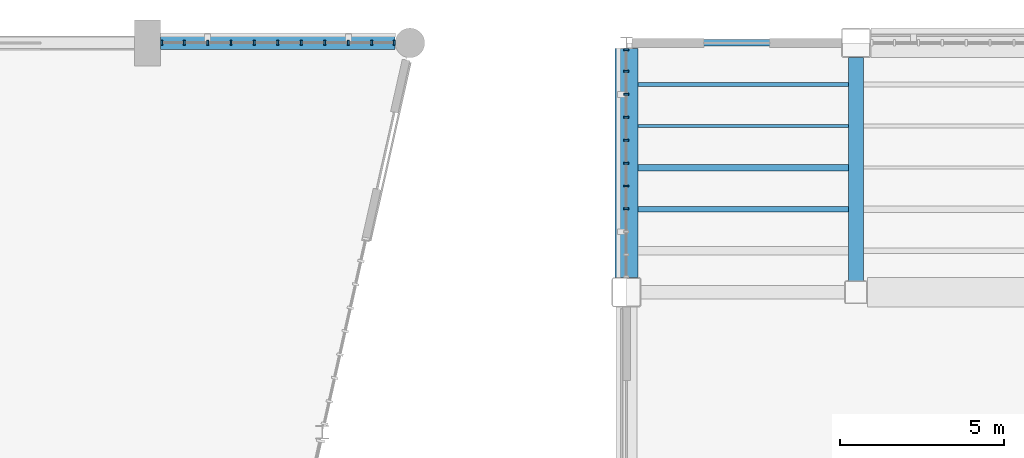
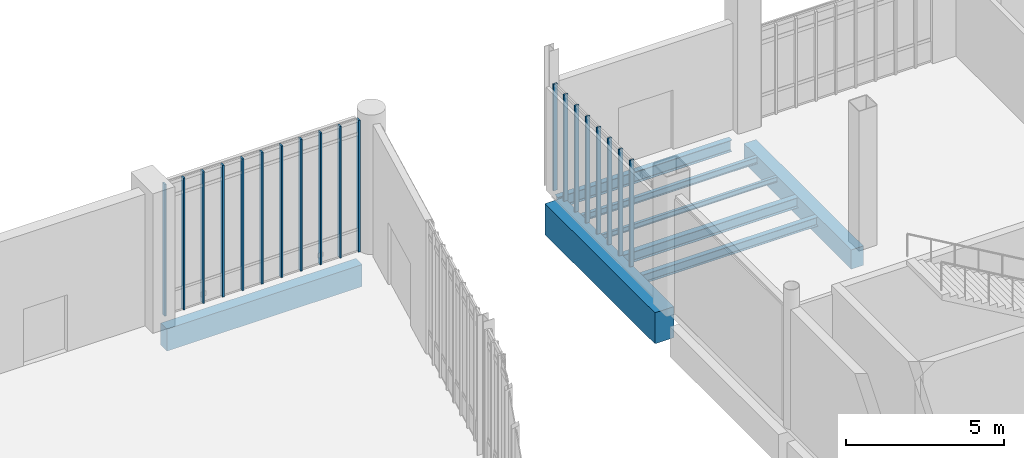
# One storey, part 31 of 111: 19 members, 8 beams, 2 elements without a shape of their own.
"""IFC4 building model written with IfcOpenShell, lengths in metres."""

from ifc_helpers import new_model, si_unit, direction, frame, origin, origin_2d, place, context, subcontext, project, spatial, rectangle, i_section, extrude, material, material_profile, profile_set, type_object, element, aggregate, save


model = new_model("IFC4")

# Units and contexts
model_context = context("Model", 3, precision=1e-05, world=origin(), true_north=direction((0.0, 1.0)))
body_context = subcontext(model_context, "Body", "Model", "MODEL_VIEW")
ifc_project = project(units=[si_unit("LENGTHUNIT", "METRE"), si_unit("AREAUNIT", "SQUARE_METRE"), si_unit("VOLUMEUNIT", "CUBIC_METRE"), si_unit("PLANEANGLEUNIT", "RADIAN"), si_unit("MASSUNIT", "GRAM", prefix="KILO")], contexts=[model_context])

# Site, building, storey
site_placement = place(None, origin())
site = spatial("IfcSite", under=ifc_project, at=site_placement, CompositionType="ELEMENT")
building_placement = place(site_placement, origin())
building = spatial("IfcBuilding", under=site, at=building_placement, Name="Larkvane Passage Sports Hall", CompositionType="ELEMENT")
storey_placement = place(building_placement, origin())
storey = spatial("IfcBuildingStorey", under=building, at=storey_placement, Name="L00", CompositionType="ELEMENT", Elevation=0.0)

# Beams
ifc_material_1 = material(Name="Concrete C40/50", Category="concrete")
ifc_material_profile_1 = material_profile(ifc_material_1, rectangle(XDim=0.449951171875, YDim=0.75, at=origin_2d()), Name="RC-BM-450x750")
ifc_profile_set_1 = profile_set([ifc_material_profile_1], Name="Concrete C40/50")
beam_type_1 = type_object("IfcBeamType", Name="BM-RC-450x750", PredefinedType="BEAM", material=ifc_profile_set_1)
beam_1_placement = place(storey_placement, frame((131.60009765625, 91.949951171875, -0.794921875), z_axis=(0.0, 1.0, 0.0), x_axis=(-1.0, 0.0, 0.0)))
element("IfcBeam", 1, at=beam_1_placement, inside=storey, type_object=beam_type_1, Name="Girder BM5-Y-L00-18-0135", PredefinedType="BEAM", context=body_context, shape_type="SweptSolid", body=[
    extrude(rectangle(XDim=0.449951171875, YDim=0.75, at=origin_2d()), origin(), (0.0, 0.0, 1.0), 6.800048828125),
])
ifc_material_2 = material(Name="Concrete C50/60", Category="concrete")
ifc_material_profile_2 = material_profile(ifc_material_2, rectangle(XDim=0.699951171875, YDim=1.199951171875, at=origin_2d()), Name="RC-BM-700x1200")
ifc_profile_set_2 = profile_set([ifc_material_profile_2], Name="Concrete C50/60")
beam_type_2 = type_object("IfcBeamType", Name="BM-RC-700x1200", PredefinedType="BEAM", material=ifc_profile_set_2)
beam_2_placement = place(storey_placement, frame((124.60009765625, 92.050048828125, -1.02001953125), z_axis=(0.0, 1.0, 0.0), x_axis=(-1.0, 0.0, 0.0)))
element("IfcBeam", 2, at=beam_2_placement, inside=storey, type_object=beam_type_2, Name="Girder BM5-Y-L00-17-0130", PredefinedType="BEAM", context=body_context, shape_type="SweptSolid", body=[
    extrude(rectangle(XDim=0.699951171875, YDim=1.199951171875, at=origin_2d()), origin(), (0.0, 0.0, 1.0), 6.974853515625),
])

# Curtain wall, members
ifc_material_3 = material(Name="Thermally broken aluminium and low-E glazing", Category="aluminium")
curtain_wall_type = type_object("IfcCurtainWallType", Name="CW-UNIT-COURT", PredefinedType="USERDEFINED", material=ifc_material_3)
curtain_wall_1_placement = place(storey_placement, origin())
curtain_wall_1 = element("IfcCurtainWall", 3, at=curtain_wall_1_placement, inside=storey, type_object=curtain_wall_type, Name="Curtain wall CW5-L00-012", ObjectType="UNITISED CURTAIN WALL", PredefinedType="USERDEFINED")
ifc_material_4 = material(Name="Anodised aluminium 6063-T6", Category="aluminium")
ifc_material_profile_3 = material_profile(ifc_material_4, rectangle(XDim=0.06005859375, YDim=0.14990234375, at=origin_2d()), Name="ALU-MUL-60x150")
ifc_profile_set_3 = profile_set([ifc_material_profile_3], Name="Anodised aluminium 6063-T6")
member_type = type_object("IfcMemberType", Name="CW-MUL-60x150", PredefinedType="MULLION", material=ifc_profile_set_3)
member_1_placement = place(storey_placement, frame((110.426025390625, 99.199951171875, 0.0), z_axis=(0.0, 0.0, 1.0), x_axis=(1.0, 0.0, 0.0)))
member_1 = element("IfcMember", 4, at=member_1_placement, type_object=member_type, Name="CW-01 mullion 1", PredefinedType="MULLION", context=body_context, shape_type="SweptSolid", body=[
    extrude(rectangle(XDim=0.06005859375, YDim=0.14990234375, at=origin_2d()), origin(), (0.0, 0.0, 1.0), 5.10009765625),
])
member_2_placement = place(storey_placement, frame((111.11181640625, 99.199951171875, 0.0), z_axis=(0.0, 0.0, 1.0), x_axis=(1.0, 0.0, 0.0)))
member_2 = element("IfcMember", 5, at=member_2_placement, type_object=member_type, Name="CW-01 mullion 2", PredefinedType="MULLION", context=body_context, shape_type="SweptSolid", body=[
    extrude(rectangle(XDim=0.06005859375, YDim=0.14990234375, at=origin_2d()), origin(), (0.0, 0.0, 1.0), 5.10009765625),
])
member_3_placement = place(storey_placement, frame((111.82763671875, 99.199951171875, 0.0), z_axis=(0.0, 0.0, 1.0), x_axis=(1.0, 0.0, 0.0)))
member_3 = element("IfcMember", 6, at=member_3_placement, type_object=member_type, Name="CW-01 mullion 3", PredefinedType="MULLION", context=body_context, shape_type="SweptSolid", body=[
    extrude(rectangle(XDim=0.06005859375, YDim=0.14990234375, at=origin_2d()), origin(), (0.0, 0.0, 1.0), 5.10009765625),
])
member_4_placement = place(storey_placement, frame((112.54345703125, 99.199951171875, 0.0), z_axis=(0.0, 0.0, 1.0), x_axis=(1.0, 0.0, 0.0)))
member_4 = element("IfcMember", 7, at=member_4_placement, type_object=member_type, Name="CW-01 mullion 4", PredefinedType="MULLION", context=body_context, shape_type="SweptSolid", body=[
    extrude(rectangle(XDim=0.06005859375, YDim=0.14990234375, at=origin_2d()), origin(), (0.0, 0.0, 1.0), 5.10009765625),
])
member_5_placement = place(storey_placement, frame((113.25927734375, 99.199951171875, 0.0), z_axis=(0.0, 0.0, 1.0), x_axis=(1.0, 0.0, 0.0)))
member_5 = element("IfcMember", 8, at=member_5_placement, type_object=member_type, Name="CW-01 mullion 5", PredefinedType="MULLION", context=body_context, shape_type="SweptSolid", body=[
    extrude(rectangle(XDim=0.06005859375, YDim=0.14990234375, at=origin_2d()), origin(), (0.0, 0.0, 1.0), 5.10009765625),
])
member_6_placement = place(storey_placement, frame((113.97509765625, 99.199951171875, 0.0), z_axis=(0.0, 0.0, 1.0), x_axis=(1.0, 0.0, 0.0)))
member_6 = element("IfcMember", 9, at=member_6_placement, type_object=member_type, Name="CW-01 mullion 6", PredefinedType="MULLION", context=body_context, shape_type="SweptSolid", body=[
    extrude(rectangle(XDim=0.06005859375, YDim=0.14990234375, at=origin_2d()), origin(), (0.0, 0.0, 1.0), 5.10009765625),
])
member_7_placement = place(storey_placement, frame((114.69091796875, 99.199951171875, 0.0), z_axis=(0.0, 0.0, 1.0), x_axis=(1.0, 0.0, 0.0)))
member_7 = element("IfcMember", 10, at=member_7_placement, type_object=member_type, Name="CW-01 mullion 7", PredefinedType="MULLION", context=body_context, shape_type="SweptSolid", body=[
    extrude(rectangle(XDim=0.06005859375, YDim=0.14990234375, at=origin_2d()), origin(), (0.0, 0.0, 1.0), 5.10009765625),
])
member_8_placement = place(storey_placement, frame((115.406494140625, 99.199951171875, 0.0), z_axis=(0.0, 0.0, 1.0), x_axis=(1.0, 0.0, 0.0)))
member_8 = element("IfcMember", 11, at=member_8_placement, type_object=member_type, Name="CW-01 mullion 8", PredefinedType="MULLION", context=body_context, shape_type="SweptSolid", body=[
    extrude(rectangle(XDim=0.06005859375, YDim=0.14990234375, at=origin_2d()), origin(), (0.0, 0.0, 1.0), 5.10009765625),
])
member_9_placement = place(storey_placement, frame((116.122314453125, 99.199951171875, 0.0), z_axis=(0.0, 0.0, 1.0), x_axis=(1.0, 0.0, 0.0)))
member_9 = element("IfcMember", 12, at=member_9_placement, type_object=member_type, Name="CW-01 mullion 9", PredefinedType="MULLION", context=body_context, shape_type="SweptSolid", body=[
    extrude(rectangle(XDim=0.06005859375, YDim=0.14990234375, at=origin_2d()), origin(), (0.0, 0.0, 1.0), 5.10009765625),
])
member_10_placement = place(storey_placement, frame((116.838134765625, 99.199951171875, 0.0), z_axis=(0.0, 0.0, 1.0), x_axis=(1.0, 0.0, 0.0)))
member_10 = element("IfcMember", 13, at=member_10_placement, type_object=member_type, Name="CW-01 mullion 10", PredefinedType="MULLION", context=body_context, shape_type="SweptSolid", body=[
    extrude(rectangle(XDim=0.06005859375, YDim=0.14990234375, at=origin_2d()), origin(), (0.0, 0.0, 1.0), 5.10009765625),
])
member_11_placement = place(storey_placement, frame((117.52392578125, 99.199951171875, 0.0), z_axis=(0.0, 0.0, 1.0), x_axis=(1.0, 0.0, 0.0)))
member_11 = element("IfcMember", 14, at=member_11_placement, type_object=member_type, Name="CW-01 mullion 11", PredefinedType="MULLION", context=body_context, shape_type="SweptSolid", body=[
    extrude(rectangle(XDim=0.06005859375, YDim=0.14990234375, at=origin_2d()), origin(), (0.0, 0.0, 1.0), 5.10009765625),
])
aggregate(curtain_wall_1, [member_1, member_2, member_3, member_4, member_5, member_6, member_7, member_8, member_9, member_10, member_11])

curtain_wall_2_placement = place(storey_placement, origin())
curtain_wall_2 = element("IfcCurtainWall", 15, at=curtain_wall_2_placement, inside=storey, type_object=curtain_wall_type, Name="Curtain wall CW5-L00-020", ObjectType="UNITISED CURTAIN WALL", PredefinedType="USERDEFINED")
member_12_placement = place(storey_placement, frame((124.60009765625, 94.140869140625, 0.0), z_axis=(0.0, 0.0, 1.0), x_axis=(0.0, 1.0, 0.0)))
member_12 = element("IfcMember", 16, at=member_12_placement, type_object=member_type, Name="CW-01 mullion 4", PredefinedType="MULLION", context=body_context, shape_type="SweptSolid", body=[
    extrude(rectangle(XDim=0.06005859375, YDim=0.14990234375, at=origin_2d()), origin(), (0.0, 0.0, 1.0), 4.117919921875),
])
member_13_placement = place(storey_placement, frame((124.60009765625, 94.839111328125, 0.0), z_axis=(0.0, 0.0, 1.0), x_axis=(0.0, 1.0, 0.0)))
member_13 = element("IfcMember", 17, at=member_13_placement, type_object=member_type, Name="CW-01 mullion 5", PredefinedType="MULLION", context=body_context, shape_type="SweptSolid", body=[
    extrude(rectangle(XDim=0.06005859375, YDim=0.14990234375, at=origin_2d()), origin(), (0.0, 0.0, 1.0), 4.117919921875),
])
member_14_placement = place(storey_placement, frame((124.60009765625, 95.53759765625, 0.0), z_axis=(0.0, 0.0, 1.0), x_axis=(0.0, 1.0, 0.0)))
member_14 = element("IfcMember", 18, at=member_14_placement, type_object=member_type, Name="CW-01 mullion 6", PredefinedType="MULLION", context=body_context, shape_type="SweptSolid", body=[
    extrude(rectangle(XDim=0.06005859375, YDim=0.14990234375, at=origin_2d()), origin(), (0.0, 0.0, 1.0), 4.117919921875),
])
member_15_placement = place(storey_placement, frame((124.60009765625, 96.23583984375, 0.0), z_axis=(0.0, 0.0, 1.0), x_axis=(0.0, 1.0, 0.0)))
member_15 = element("IfcMember", 19, at=member_15_placement, type_object=member_type, Name="CW-01 mullion 7", PredefinedType="MULLION", context=body_context, shape_type="SweptSolid", body=[
    extrude(rectangle(XDim=0.06005859375, YDim=0.14990234375, at=origin_2d()), origin(), (0.0, 0.0, 1.0), 4.117919921875),
])
member_16_placement = place(storey_placement, frame((124.60009765625, 96.93408203125, 0.0), z_axis=(0.0, 0.0, 1.0), x_axis=(0.0, 1.0, 0.0)))
member_16 = element("IfcMember", 20, at=member_16_placement, type_object=member_type, Name="CW-01 mullion 8", PredefinedType="MULLION", context=body_context, shape_type="SweptSolid", body=[
    extrude(rectangle(XDim=0.06005859375, YDim=0.14990234375, at=origin_2d()), origin(), (0.0, 0.0, 1.0), 4.117919921875),
])
member_17_placement = place(storey_placement, frame((124.60009765625, 97.63232421875, 0.0), z_axis=(0.0, 0.0, 1.0), x_axis=(0.0, 1.0, 0.0)))
member_17 = element("IfcMember", 21, at=member_17_placement, type_object=member_type, Name="CW-01 mullion 9", PredefinedType="MULLION", context=body_context, shape_type="SweptSolid", body=[
    extrude(rectangle(XDim=0.06005859375, YDim=0.14990234375, at=origin_2d()), origin(), (0.0, 0.0, 1.0), 4.117919921875),
])
member_18_placement = place(storey_placement, frame((124.60009765625, 98.330810546875, 0.0), z_axis=(0.0, 0.0, 1.0), x_axis=(0.0, 1.0, 0.0)))
member_18 = element("IfcMember", 22, at=member_18_placement, type_object=member_type, Name="CW-01 mullion 10", PredefinedType="MULLION", context=body_context, shape_type="SweptSolid", body=[
    extrude(rectangle(XDim=0.06005859375, YDim=0.14990234375, at=origin_2d()), origin(), (0.0, 0.0, 1.0), 4.117919921875),
])
member_19_placement = place(storey_placement, frame((124.60009765625, 98.9990234375, 0.0), z_axis=(0.0, 0.0, 1.0), x_axis=(0.0, 1.0, 0.0)))
member_19 = element("IfcMember", 23, at=member_19_placement, type_object=member_type, Name="CW-01 mullion 11", PredefinedType="MULLION", context=body_context, shape_type="SweptSolid", body=[
    extrude(rectangle(XDim=0.06005859375, YDim=0.14990234375, at=origin_2d()), origin(), (0.0, 0.0, 1.0), 4.117919921875),
])
aggregate(curtain_wall_2, [member_12, member_13, member_14, member_15, member_16, member_17, member_18, member_19])

# Beams
ifc_material_5 = material(Name="Steel S355JR", Category="steel")
ifc_material_profile_4 = material_profile(ifc_material_5, i_section(OverallWidth=0.10009765625, OverallDepth=0.199951171875, WebThickness=0.005615234375, FlangeThickness=0.008056640625, FilletRadius=0.008056640625, at=origin_2d()), Name="H-200x100x5.5x8")
ifc_profile_set_4 = profile_set([ifc_material_profile_4], Name="Steel S355JR")
beam_type_3 = type_object("IfcBeamType", Name="JST-STL-H200", PredefinedType="JOIST", material=ifc_profile_set_4)
beam_3_placement = place(storey_placement, frame((124.949951171875, 96.666748046875, -0.52001953125), z_axis=(1.0, 0.0, 0.0), x_axis=(0.0, 1.0, 0.0)))
element("IfcBeam", 24, at=beam_3_placement, inside=storey, type_object=beam_type_3, Name="Composite joist L00 17/L-4", PredefinedType="JOIST", context=body_context, shape_type="SweptSolid", body=[
    extrude(i_section(OverallWidth=0.10009765625, OverallDepth=0.199951171875, WebThickness=0.005615234375, FlangeThickness=0.008056640625, FilletRadius=0.008056640625, at=origin_2d()), origin(), (0.0, 0.0, 1.0), 6.425048828125),
])
ifc_material_profile_5 = material_profile(ifc_material_5, i_section(OverallWidth=0.125, OverallDepth=0.25, WebThickness=0.006103515625, FlangeThickness=0.009033203125, FilletRadius=0.008056640625, at=origin_2d()), Name="H-250x125x6x9")
ifc_profile_set_5 = profile_set([ifc_material_profile_5], Name="Steel S355JR")
beam_type_4 = type_object("IfcBeamType", Name="JST-STL-H250", PredefinedType="JOIST", material=ifc_profile_set_5)
beam_4_placement = place(storey_placement, frame((124.949951171875, 97.933349609375, -0.544921875), z_axis=(1.0, 0.0, 0.0), x_axis=(0.0, 1.0, 0.0)))
element("IfcBeam", 25, at=beam_4_placement, inside=storey, type_object=beam_type_4, Name="Composite joist L00 17/L-5", PredefinedType="JOIST", context=body_context, shape_type="SweptSolid", body=[
    extrude(i_section(OverallWidth=0.125, OverallDepth=0.25, WebThickness=0.006103515625, FlangeThickness=0.009033203125, FilletRadius=0.008056640625, at=origin_2d()), origin(), (0.0, 0.0, 1.0), 6.425048828125),
])
ifc_material_profile_6 = material_profile(ifc_material_5, i_section(OverallWidth=0.175048828125, OverallDepth=0.35009765625, WebThickness=0.007080078125, FlangeThickness=0.010986328125, FilletRadius=0.012939453125, at=origin_2d()), Name="H-350x175x7x11")
ifc_profile_set_6 = profile_set([ifc_material_profile_6], Name="Steel S355JR")
beam_type_5 = type_object("IfcBeamType", Name="JST-STL-H350", PredefinedType="JOIST", material=ifc_profile_set_6)
beam_5_placement = place(storey_placement, frame((124.949951171875, 94.13330078125, -0.594970703125), z_axis=(1.0, 0.0, 0.0), x_axis=(0.0, 1.0, 0.0)))
element("IfcBeam", 26, at=beam_5_placement, inside=storey, type_object=beam_type_5, Name="Composite joist L00 17/L-2", PredefinedType="JOIST", context=body_context, shape_type="SweptSolid", body=[
    extrude(i_section(OverallWidth=0.175048828125, OverallDepth=0.35009765625, WebThickness=0.007080078125, FlangeThickness=0.010986328125, FilletRadius=0.012939453125, at=origin_2d()), origin(), (0.0, 0.0, 1.0), 6.425048828125),
])
ifc_material_profile_7 = material_profile(ifc_material_5, i_section(OverallWidth=0.199951171875, OverallDepth=0.39990234375, WebThickness=0.008056640625, FlangeThickness=0.012939453125, FilletRadius=0.012939453125, at=origin_2d()), Name="H-400x200x8x13")
ifc_profile_set_7 = profile_set([ifc_material_profile_7], Name="Steel S355JR")
beam_type_6 = type_object("IfcBeamType", Name="JST-STL-H400", PredefinedType="JOIST", material=ifc_profile_set_7)
beam_6_placement = place(storey_placement, frame((124.949951171875, 95.39990234375, -0.6201171875), z_axis=(1.0, 0.0, 0.0), x_axis=(0.0, 1.0, 0.0)))
element("IfcBeam", 27, at=beam_6_placement, inside=storey, type_object=beam_type_6, Name="Composite joist L00 17/L-3", PredefinedType="JOIST", context=body_context, shape_type="SweptSolid", body=[
    extrude(i_section(OverallWidth=0.199951171875, OverallDepth=0.39990234375, WebThickness=0.008056640625, FlangeThickness=0.012939453125, FilletRadius=0.012939453125, at=origin_2d()), origin(), (0.0, 0.0, 1.0), 6.425048828125),
])
ifc_material_profile_8 = material_profile(ifc_material_1, rectangle(XDim=0.39990234375, YDim=0.85009765625, at=origin_2d()), Name="RC-SP-400x850")
ifc_profile_set_8 = profile_set([ifc_material_profile_8], Name="Concrete C40/50")
beam_type_7 = type_object("IfcBeamType", Name="SP-RC-400x850", PredefinedType="SPANDREL", material=ifc_profile_set_8)
beam_7_placement = place(storey_placement, frame((110.39990234375, 99.199951171875, -0.844970703125), z_axis=(1.0, 0.0, 0.0), x_axis=(0.0, 1.0, 0.0)))
element("IfcBeam", 28, at=beam_7_placement, inside=storey, type_object=beam_type_7, Name="Girder BM5-X-L00-M-0074", PredefinedType="SPANDREL", context=body_context, shape_type="SweptSolid", body=[
    extrude(rectangle(XDim=0.39990234375, YDim=0.85009765625, at=origin_2d()), origin(), (0.0, 0.0, 1.0), 7.150146484375),
])
ifc_material_profile_9 = material_profile(ifc_material_5, i_section(OverallWidth=0.199951171875, OverallDepth=0.449951171875, WebThickness=0.009033203125, FlangeThickness=0.013916015625, FilletRadius=0.01806640625, at=origin_2d()), Name="H-450x200x9x14")
ifc_profile_set_9 = profile_set([ifc_material_profile_9], Name="Steel S355JR")
beam_type_8 = type_object("IfcBeamType", Name="SP-STL-H450", PredefinedType="SPANDREL", material=ifc_profile_set_9)
beam_8_placement = place(storey_placement, frame((124.77490234375, 99.199951171875, -0.64501953125), z_axis=(1.0, 0.0, 0.0), x_axis=(0.0, 1.0, 0.0)))
element("IfcBeam", 29, at=beam_8_placement, inside=storey, type_object=beam_type_8, Name="Girder BM5-X-L00-M-0075", PredefinedType="SPANDREL", context=body_context, shape_type="SweptSolid", body=[
    extrude(i_section(OverallWidth=0.199951171875, OverallDepth=0.449951171875, WebThickness=0.009033203125, FlangeThickness=0.013916015625, FilletRadius=0.01806640625, at=origin_2d()), origin(), (0.0, 0.0, 1.0), 6.375),
])

save(model, "model.ifc")
